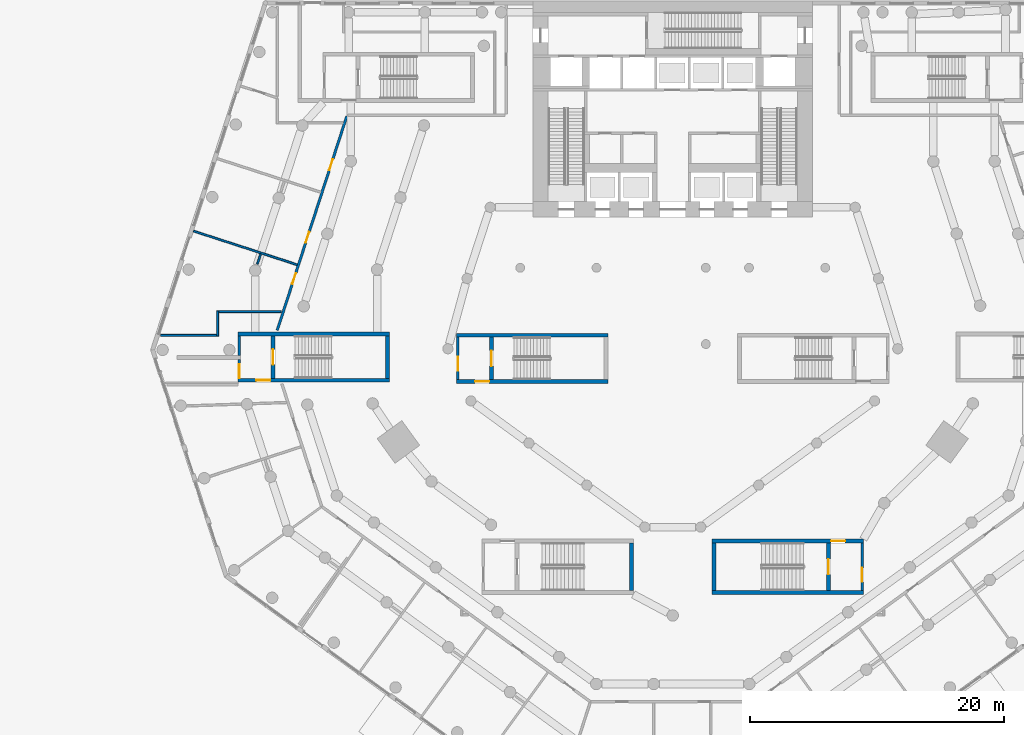
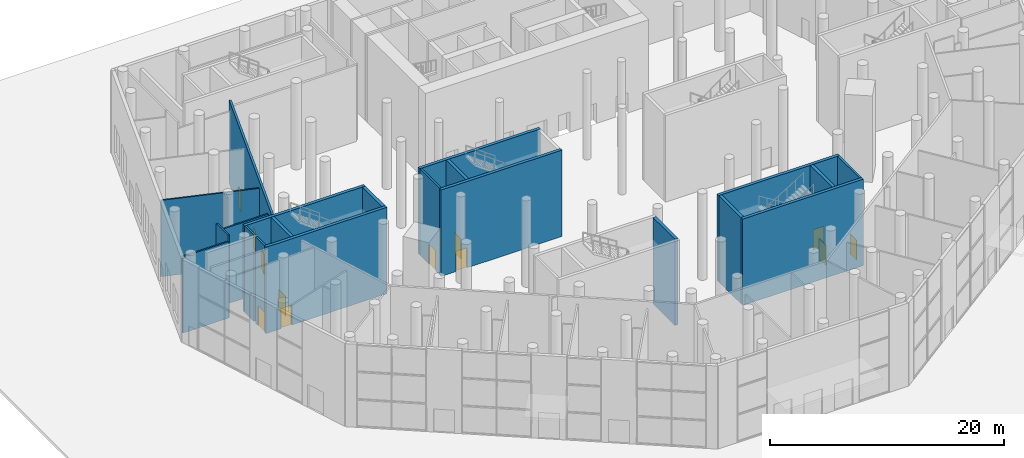
# One storey, part 11 of 25: 22 walls, 12 doors, 12 openings.
"""IFC4 building model written with IfcOpenShell, lengths in metres."""

from ifc_helpers import new_model, si_unit, direction, frame, frame_2d, origin, place, context, subcontext, project, spatial, rectangle, extrude, material, layer, layer_set, type_object, element, fill, save


model = new_model("IFC4")

# Units and contexts
model_context = context("Model", 3, precision=1e-05, world=origin(), true_north=direction((0.0, 1.0)))
body_context = subcontext(model_context, "Body", "Model", "MODEL_VIEW")
ifc_project = project(units=[si_unit("LENGTHUNIT", "METRE"), si_unit("AREAUNIT", "SQUARE_METRE"), si_unit("VOLUMEUNIT", "CUBIC_METRE"), si_unit("PLANEANGLEUNIT", "RADIAN"), si_unit("MASSUNIT", "GRAM", prefix="KILO")], contexts=[model_context])

# Site, building, storey
site_placement = place(None, origin())
site = spatial("IfcSite", under=ifc_project, at=site_placement, CompositionType="ELEMENT")
building_placement = place(site_placement, origin())
building = spatial("IfcBuilding", under=site, at=building_placement, Name="White Candle Pilgrim Tower", CompositionType="ELEMENT")
storey_placement = place(building_placement, origin())
storey = spatial("IfcBuildingStorey", under=building, at=storey_placement, Name="L00", CompositionType="ELEMENT", Elevation=0.0)

# Wall, opening, door
ifc_material_1 = material(Name="Concrete C70/85", Category="concrete")
ifc_layer_1 = layer(ifc_material_1, 0.199951171875)
ifc_layer_set_1 = layer_set([ifc_layer_1], Name="Core wall 200 mm Concrete C70/85")
wall_type_1 = type_object("IfcWallType", Name="Core wall 200 mm Concrete C70/85", PredefinedType="SHEAR", material=ifc_layer_set_1)
wall_1_placement = place(storey_placement, frame((84.89990234375, 41.60009765625, 0.0), z_axis=(0.0, 0.0, 1.0), x_axis=(0.0, 1.0, 0.0)))
wall_1 = element("IfcWall", 1, at=wall_1_placement, inside=storey, type_object=wall_type_1, Name="WL-L00-C08", PredefinedType="SHEAR", context=body_context, shape_type="SweptSolid", body=[
    extrude(rectangle(XDim=3.75, YDim=0.199951171875, at=frame_2d((1.875, 0.0))), origin(), (0.0, 0.0, 1.0), 9.0),
])
opening_1_placement = place(wall_1_placement, frame((0.699951171875, 0.0, 0.0)))
opening_1 = element("IfcOpeningElement", 2, at=opening_1_placement, cuts=wall_1, Name="Opening L00-018", PredefinedType="OPENING", context=body_context, shape_type="SweptSolid", body=[
    extrude(rectangle(XDim=1.10009765625, YDim=2.10009765625, at=frame_2d((0.550048828125, 1.050048828125))), frame((0.0, 0.10986328125, 0.0), z_axis=(0.0, -1.0, 0.0), x_axis=(1.0, 0.0, 0.0)), (0.0, 0.0, 1.0), 0.219970703125),
])
ifc_material_2 = material(Name="Steel door leaf", Category="steel")
door_type_1 = type_object("IfcDoorType", Name="Fire door 1100 x 2100 EI 60", OperationType="NOTDEFINED", PredefinedType="DOOR", material=ifc_material_2)
door_1_placement = place(opening_1_placement, frame((1.10009765625, 0.0, 0.0), z_axis=(0.0, 0.0, 1.0), x_axis=(-1.0, 0.0, 0.0)))
door_1 = element("IfcDoor", 3, at=door_1_placement, inside=storey, type_object=door_type_1, Name="Door L00-018", OperationType="SINGLE_SWING_LEFT", OverallHeight=2.10009765625, OverallWidth=1.10009765625, PredefinedType="DOOR", context=body_context, shape_type="SweptSolid", body=[
    extrude(rectangle(XDim=1.10009765625, YDim=2.10009765625, at=frame_2d((0.550048828125, 1.050048828125))), frame((0.0, 0.02490234375, 0.0), z_axis=(0.0, -1.0, 0.0), x_axis=(1.0, 0.0, 0.0)), (0.0, 0.0, 1.0), 0.050048828125),
])
fill(opening_1, door_1)

wall_2_placement = place(storey_placement, frame((53.10009765625, 58.199951171875, 0.0), z_axis=(0.0, 0.0, 1.0), x_axis=(0.0, 1.0, 0.0)))
wall_2 = element("IfcWall", 4, at=wall_2_placement, inside=storey, type_object=wall_type_1, Name="WL-L00-C19", PredefinedType="SHEAR", context=body_context, shape_type="SweptSolid", body=[
    extrude(rectangle(XDim=3.35009765625, YDim=0.199951171875, at=frame_2d((1.675048828125, 0.0))), origin(), (0.0, 0.0, 1.0), 9.0),
])
opening_2_placement = place(wall_2_placement, frame((0.699951171875, 0.0, 0.0)))
opening_2 = element("IfcOpeningElement", 5, at=opening_2_placement, cuts=wall_2, Name="Opening L00-009", PredefinedType="OPENING", context=body_context, shape_type="SweptSolid", body=[
    extrude(rectangle(XDim=1.10009765625, YDim=2.10009765625, at=frame_2d((0.550048828125, 1.050048828125))), frame((0.0, 0.10986328125, 0.0), z_axis=(0.0, -1.0, 0.0), x_axis=(1.0, 0.0, 0.0)), (0.0, 0.0, 1.0), 0.219970703125),
])
door_2_placement = place(opening_2_placement, origin())
door_2 = element("IfcDoor", 6, at=door_2_placement, inside=storey, type_object=door_type_1, Name="Door L00-009", OperationType="SINGLE_SWING_LEFT", OverallHeight=2.10009765625, OverallWidth=1.10009765625, PredefinedType="DOOR", context=body_context, shape_type="SweptSolid", body=[
    extrude(rectangle(XDim=1.10009765625, YDim=2.10009765625, at=frame_2d((0.550048828125, 1.050048828125))), frame((0.0, 0.02490234375, 0.0), z_axis=(0.0, -1.0, 0.0), x_axis=(1.0, 0.0, 0.0)), (0.0, 0.0, 1.0), 0.050048828125),
])
fill(opening_2, door_2)

# Wall
wall_3_placement = place(storey_placement, frame((35.89990234375, 60.090087890625, 0.0), z_axis=(0.0, 0.0, 1.0), x_axis=(0.0, 1.0, 0.0)))
element("IfcWall", 7, at=wall_3_placement, inside=storey, type_object=wall_type_1, Name="WL-L00-C33", PredefinedType="SHEAR", context=body_context, shape_type="SweptSolid", body=[
    extrude(rectangle(XDim=1.559814453125, YDim=0.199951171875, at=frame_2d((0.77978515625, 0.0))), origin(), (0.0, 0.0, 1.0), 9.0),
])

# Wall, openings, doors
ifc_material_3 = material(Name="Gypsum board on steel studs", Category="steel")
ifc_layer_2 = layer(ifc_material_3, 0.199951171875)
ifc_layer_set_2 = layer_set([ifc_layer_2], Name="Corridor wall 200 mm EI 45")
wall_type_2 = type_object("IfcWallType", Name="Corridor wall 200 mm EI 45", PredefinedType="PARTITIONING", material=ifc_layer_set_2)
wall_4_placement = place(storey_placement, frame((38.884033203125, 62.080810546875, 0.0), z_axis=(0.0, 0.0, 1.0), x_axis=(0.309013160516, 0.951057761983, 0.0)))
wall_4 = element("IfcWall", 8, at=wall_4_placement, inside=storey, type_object=wall_type_2, Name="WL-L00-P005", PredefinedType="PARTITIONING", context=body_context, shape_type="SweptSolid", body=[
    extrude(rectangle(XDim=17.71728515625, YDim=0.199951171875, at=frame_2d((8.858642578125, 0.0))), origin(), (0.0, 0.0, 1.0), 8.64990234375),
])
opening_3_placement = place(wall_4_placement, frame((13.24169921875, 0.0, 0.0)))
opening_3 = element("IfcOpeningElement", 9, at=opening_3_placement, cuts=wall_4, Name="Opening L00-101", PredefinedType="OPENING", context=body_context, shape_type="SweptSolid", body=[
    extrude(rectangle(XDim=0.89990234375, YDim=2.10009765625, at=frame_2d((0.449951171875, 1.050048828125))), frame((0.0, 0.10986328125, 0.0), z_axis=(0.0, -1.0, 0.0), x_axis=(1.0, 0.0, 0.0)), (0.0, 0.0, 1.0), 0.219970703125),
])
opening_4_placement = place(wall_4_placement, frame((7.24169921875, 0.0, 0.0)))
opening_4 = element("IfcOpeningElement", 10, at=opening_4_placement, cuts=wall_4, Name="Opening L00-102", PredefinedType="OPENING", context=body_context, shape_type="SweptSolid", body=[
    extrude(rectangle(XDim=0.89990234375, YDim=2.10009765625, at=frame_2d((0.449951171875, 1.050048828125))), frame((0.0, 0.10986328125, 0.0), z_axis=(0.0, -1.0, 0.0), x_axis=(1.0, 0.0, 0.0)), (0.0, 0.0, 1.0), 0.219970703125),
])
opening_5_placement = place(wall_4_placement, frame((3.82958984375, 0.0, 0.0)))
opening_5 = element("IfcOpeningElement", 11, at=opening_5_placement, cuts=wall_4, Name="Opening L00-103", PredefinedType="OPENING", context=body_context, shape_type="SweptSolid", body=[
    extrude(rectangle(XDim=0.89990234375, YDim=2.10009765625, at=frame_2d((0.449951171875, 1.050048828125))), frame((0.0, 0.10986328125, 0.0), z_axis=(0.0, -1.0, 0.0), x_axis=(1.0, 0.0, 0.0)), (0.0, 0.0, 1.0), 0.219970703125),
])
door_type_2 = type_object("IfcDoorType", Name="Fire door 900 x 2100 EI 30", OperationType="NOTDEFINED", PredefinedType="DOOR", material=ifc_material_2)
door_3_placement = place(opening_3_placement, origin())
door_3 = element("IfcDoor", 12, at=door_3_placement, inside=storey, type_object=door_type_2, Name="Door L00-101", OperationType="SINGLE_SWING_LEFT", OverallHeight=2.10009765625, OverallWidth=0.89990234375, PredefinedType="DOOR", context=body_context, shape_type="SweptSolid", body=[
    extrude(rectangle(XDim=0.89990234375, YDim=2.10009765625, at=frame_2d((0.449951171875, 1.050048828125))), frame((0.0, 0.02490234375, 0.0), z_axis=(0.0, -1.0, 0.0), x_axis=(1.0, 0.0, 0.0)), (0.0, 0.0, 1.0), 0.050048828125),
])
fill(opening_3, door_3)
door_4_placement = place(opening_4_placement, origin())
door_4 = element("IfcDoor", 13, at=door_4_placement, inside=storey, type_object=door_type_2, Name="Door L00-102", OperationType="SINGLE_SWING_RIGHT", OverallHeight=2.10009765625, OverallWidth=0.89990234375, PredefinedType="DOOR", context=body_context, shape_type="SweptSolid", body=[
    extrude(rectangle(XDim=0.89990234375, YDim=2.10009765625, at=frame_2d((0.449951171875, 1.050048828125))), frame((0.0, 0.02490234375, 0.0), z_axis=(0.0, -1.0, 0.0), x_axis=(1.0, 0.0, 0.0)), (0.0, 0.0, 1.0), 0.050048828125),
])
fill(opening_4, door_4)
door_5_placement = place(opening_5_placement, origin())
door_5 = element("IfcDoor", 14, at=door_5_placement, inside=storey, type_object=door_type_2, Name="Door L00-103", OperationType="SINGLE_SWING_LEFT", OverallHeight=2.10009765625, OverallWidth=0.89990234375, PredefinedType="DOOR", context=body_context, shape_type="SweptSolid", body=[
    extrude(rectangle(XDim=0.89990234375, YDim=2.10009765625, at=frame_2d((0.449951171875, 1.050048828125))), frame((0.0, 0.02490234375, 0.0), z_axis=(0.0, -1.0, 0.0), x_axis=(1.0, 0.0, 0.0)), (0.0, 0.0, 1.0), 0.050048828125),
])
fill(opening_5, door_5)

# Walls
ifc_layer_3 = layer(ifc_material_3, 0.14990234375)
ifc_layer_set_3 = layer_set([ifc_layer_3], Name="Partition 150 mm EI 60")
wall_type_3 = type_object("IfcWallType", Name="Partition 150 mm EI 60", PredefinedType="PARTITIONING", material=ifc_layer_set_3)
wall_5_placement = place(storey_placement, frame((32.294921875, 69.890869140625, 0.0), z_axis=(0.0, 0.0, 1.0), x_axis=(0.951057485731, -0.309014010742, 0.0)))
element("IfcWall", 15, at=wall_5_placement, inside=storey, type_object=wall_type_3, Name="WL-L00-P018", PredefinedType="PARTITIONING", context=body_context, shape_type="SweptSolid", body=[
    extrude(rectangle(XDim=8.580078125, YDim=0.14990234375, at=frame_2d((4.2900390625, 0.0))), origin(), (0.0, 0.0, 1.0), 7.949951171875),
])
wall_6_placement = place(storey_placement, frame((37.32421875, 67.299072265625, 0.0), z_axis=(0.0, 0.0, 1.0), x_axis=(0.309033234433, 0.951051239427, 0.0)))
element("IfcWall", 16, at=wall_6_placement, inside=storey, type_object=wall_type_3, Name="WL-L00-P047", PredefinedType="PARTITIONING", context=body_context, shape_type="SweptSolid", body=[
    extrude(rectangle(XDim=0.8359375, YDim=0.14990234375, at=frame_2d((0.41796875, 0.0))), origin(), (0.0, 0.0, 1.0), 7.949951171875),
])
wall_7_placement = place(storey_placement, frame((34.199951171875, 63.610107421875, 0.0), z_axis=(0.0, 0.0, 1.0), x_axis=(0.0, -1.0, 0.0)))
element("IfcWall", 17, at=wall_7_placement, inside=storey, type_object=wall_type_3, Name="WL-L00-P054", PredefinedType="PARTITIONING", context=body_context, shape_type="SweptSolid", body=[
    extrude(rectangle(XDim=1.980224609375, YDim=0.14990234375, at=frame_2d((0.990234375, 0.0))), origin(), (0.0, 0.0, 1.0), 8.64990234375),
])
wall_8_placement = place(storey_placement, frame((34.260009765625, 61.68994140625, 0.0), z_axis=(0.0, 0.0, 1.0), x_axis=(-1.0, 0.0, 0.0)))
element("IfcWall", 18, at=wall_8_placement, inside=storey, type_object=wall_type_3, Name="WL-L00-P055", PredefinedType="PARTITIONING", context=body_context, shape_type="SweptSolid", body=[
    extrude(rectangle(XDim=4.552978515625, YDim=0.14990234375, at=frame_2d((2.2763671875, 0.0))), origin(), (0.0, 0.0, 1.0), 7.949951171875),
])
wall_9_placement = place(storey_placement, frame((39.193115234375, 63.550048828125, 0.0), z_axis=(0.0, 0.0, 1.0), x_axis=(-1.0, 0.0, 0.0)))
element("IfcWall", 19, at=wall_9_placement, inside=storey, type_object=wall_type_3, Name="WL-L00-P056", PredefinedType="PARTITIONING", context=body_context, shape_type="SweptSolid", body=[
    extrude(rectangle(XDim=4.9931640625, YDim=0.14990234375, at=frame_2d((2.49658203125, 0.0))), origin(), (0.0, 0.0, 1.0), 7.949951171875),
])

# Wall, opening, door
ifc_layer_4 = layer(ifc_material_1, 0.199951171875)
ifc_layer_set_4 = layer_set([ifc_layer_4], Name="Stair shaft wall 200 mm Concrete C70/85")
wall_type_4 = type_object("IfcWallType", Name="Stair shaft wall 200 mm Concrete C70/85", PredefinedType="SHEAR", material=ifc_layer_set_4)
wall_10_placement = place(storey_placement, frame((35.89990234375, 58.300048828125, 0.0), z_axis=(0.0, 0.0, 1.0), x_axis=(0.0, 1.0, 0.0)))
wall_10 = element("IfcWall", 20, at=wall_10_placement, inside=storey, type_object=wall_type_4, Name="WL-L00-C25", PredefinedType="SHEAR", context=body_context, shape_type="SweptSolid", body=[
    extrude(rectangle(XDim=1.489990234375, YDim=0.199951171875, at=frame_2d((0.7451171875, 0.0))), origin(), (0.0, 0.0, 1.0), 9.0),
])
opening_6_placement = place(wall_10_placement, origin())
opening_6 = element("IfcOpeningElement", 21, at=opening_6_placement, cuts=wall_10, Name="Opening L00-021", PredefinedType="OPENING", context=body_context, shape_type="SweptSolid", body=[
    extrude(rectangle(XDim=1.10009765625, YDim=2.10009765625, at=frame_2d((0.550048828125, 1.050048828125))), frame((0.0, 0.10986328125, 0.0), z_axis=(0.0, -1.0, 0.0), x_axis=(1.0, 0.0, 0.0)), (0.0, 0.0, 1.0), 0.219970703125),
])
door_6_placement = place(opening_6_placement, origin())
door_6 = element("IfcDoor", 22, at=door_6_placement, inside=storey, type_object=door_type_1, Name="Door L00-021", OperationType="SINGLE_SWING_LEFT", OverallHeight=2.10009765625, OverallWidth=1.10009765625, PredefinedType="DOOR", context=body_context, shape_type="SweptSolid", body=[
    extrude(rectangle(XDim=1.10009765625, YDim=2.10009765625, at=frame_2d((0.550048828125, 1.050048828125))), frame((0.0, 0.02490234375, 0.0), z_axis=(0.0, -1.0, 0.0), x_axis=(1.0, 0.0, 0.0)), (0.0, 0.0, 1.0), 0.050048828125),
])
fill(opening_6, door_6)

# Walls
ifc_layer_5 = layer(ifc_material_1, 0.300048828125)
ifc_layer_set_5 = layer_set([ifc_layer_5], Name="Stair shaft wall 300 mm Concrete C70/85")
wall_type_5 = type_object("IfcWallType", Name="Stair shaft wall 300 mm Concrete C70/85", PredefinedType="SHEAR", material=ifc_layer_set_5)
wall_11_placement = place(storey_placement, frame((73.10009765625, 41.449951171875, 0.0), z_axis=(0.0, 0.0, 1.0), x_axis=(1.0, 0.0, 0.0)))
element("IfcWall", 23, at=wall_11_placement, inside=storey, type_object=wall_type_5, Name="WL-L00-C02", PredefinedType="SHEAR", context=body_context, shape_type="SweptSolid", body=[
    extrude(rectangle(XDim=11.89990234375, YDim=0.300048828125, at=frame_2d((5.949951171875, 0.0))), origin(), (0.0, 0.0, 1.0), 9.0),
])
for number, where, z_axis, x_axis, name in (
    (24, (66.75, 41.60009765625, 0.0), (0.0, 0.0, 1.0), (0.0, 1.0, 0.0), "WL-L00-C05"),
    (25, (73.25, 41.60009765625, 0.0), (0.0, 0.0, 1.0), (0.0, 1.0, 0.0), "WL-L00-C06"),
):
    element("IfcWall", number, at=place(storey_placement, frame(where, z_axis=z_axis, x_axis=x_axis)), inside=storey, type_object=wall_type_5, Name=name, PredefinedType="SHEAR", context=body_context, shape_type="SweptSolid", body=[
        extrude(rectangle(XDim=3.75, YDim=0.300048828125, at=frame_2d((1.875, 0.0))), origin(), (0.0, 0.0, 1.0), 9.0),
    ])

# Wall, opening, door
wall_12_placement = place(storey_placement, frame((82.25, 41.60009765625, 0.0), z_axis=(0.0, 0.0, 1.0), x_axis=(0.0, 1.0, 0.0)))
wall_12 = element("IfcWall", 26, at=wall_12_placement, inside=storey, type_object=wall_type_5, Name="WL-L00-C07", PredefinedType="SHEAR", context=body_context, shape_type="SweptSolid", body=[
    extrude(rectangle(XDim=3.75, YDim=0.300048828125, at=frame_2d((1.875, 0.0))), origin(), (0.0, 0.0, 1.0), 9.0),
])
opening_7_placement = place(wall_12_placement, frame((1.27490234375, 0.0, 0.0)))
opening_7 = element("IfcOpeningElement", 27, at=opening_7_placement, cuts=wall_12, Name="Opening L00-017", PredefinedType="OPENING", context=body_context, shape_type="SweptSolid", body=[
    extrude(rectangle(XDim=1.199951171875, YDim=2.10009765625, at=frame_2d((0.60009765625, 1.050048828125))), frame((0.0, 0.159912109375, 0.0), z_axis=(0.0, -1.0, 0.0), x_axis=(1.0, 0.0, 0.0)), (0.0, 0.0, 1.0), 0.320068359375),
])
door_type_3 = type_object("IfcDoorType", Name="Fire door 1200 x 2100 EI 60", OperationType="NOTDEFINED", PredefinedType="DOOR", material=ifc_material_2)
door_7_placement = place(opening_7_placement, origin())
door_7 = element("IfcDoor", 28, at=door_7_placement, inside=storey, type_object=door_type_3, Name="Door L00-017", OperationType="SINGLE_SWING_LEFT", OverallHeight=2.10009765625, OverallWidth=1.199951171875, PredefinedType="DOOR", context=body_context, shape_type="SweptSolid", body=[
    extrude(rectangle(XDim=1.199951171875, YDim=2.10009765625, at=frame_2d((0.60009765625, 1.050048828125))), frame((0.0, 0.02490234375, 0.0), z_axis=(0.0, -1.0, 0.0), x_axis=(1.0, 0.0, 0.0)), (0.0, 0.0, 1.0), 0.050048828125),
])
fill(opening_7, door_7)

wall_13_placement = place(storey_placement, frame((73.10009765625, 45.5, 0.0), z_axis=(0.0, 0.0, 1.0), x_axis=(1.0, 0.0, 0.0)))
wall_13 = element("IfcWall", 29, at=wall_13_placement, inside=storey, type_object=wall_type_5, Name="WL-L00-C10", PredefinedType="SHEAR", context=body_context, shape_type="SweptSolid", body=[
    extrude(rectangle(XDim=11.89990234375, YDim=0.300048828125, at=frame_2d((5.949951171875, 0.0))), origin(), (0.0, 0.0, 1.0), 9.0),
])
opening_8_placement = place(wall_13_placement, frame((9.35009765625, 0.0, 0.0)))
opening_8 = element("IfcOpeningElement", 30, at=opening_8_placement, cuts=wall_13, Name="Opening L00-016", PredefinedType="OPENING", context=body_context, shape_type="SweptSolid", body=[
    extrude(rectangle(XDim=1.10009765625, YDim=2.10009765625, at=frame_2d((0.550048828125, 1.050048828125))), frame((0.0, 0.159912109375, 0.0), z_axis=(0.0, -1.0, 0.0), x_axis=(1.0, 0.0, 0.0)), (0.0, 0.0, 1.0), 0.320068359375),
])
door_8_placement = place(opening_8_placement, frame((1.10009765625, 0.0, 0.0), z_axis=(0.0, 0.0, 1.0), x_axis=(-1.0, 0.0, 0.0)))
door_8 = element("IfcDoor", 31, at=door_8_placement, inside=storey, type_object=door_type_1, Name="Door L00-016", OperationType="SINGLE_SWING_LEFT", OverallHeight=2.10009765625, OverallWidth=1.10009765625, PredefinedType="DOOR", context=body_context, shape_type="SweptSolid", body=[
    extrude(rectangle(XDim=1.10009765625, YDim=2.10009765625, at=frame_2d((0.550048828125, 1.050048828125))), frame((0.0, 0.02490234375, 0.0), z_axis=(0.0, -1.0, 0.0), x_axis=(1.0, 0.0, 0.0)), (0.0, 0.0, 1.0), 0.050048828125),
])
fill(opening_8, door_8)

wall_14_placement = place(storey_placement, frame((53.0, 58.050048828125, 0.0), z_axis=(0.0, 0.0, 1.0), x_axis=(1.0, 0.0, 0.0)))
wall_14 = element("IfcWall", 32, at=wall_14_placement, inside=storey, type_object=wall_type_5, Name="WL-L00-C14", PredefinedType="SHEAR", context=body_context, shape_type="SweptSolid", body=[
    extrude(rectangle(XDim=11.89990234375, YDim=0.300048828125, at=frame_2d((5.949951171875, 0.0))), origin(), (0.0, 0.0, 1.0), 9.0),
])
opening_9_placement = place(wall_14_placement, frame((1.449951171875, 0.0, 0.0)))
opening_9 = element("IfcOpeningElement", 33, at=opening_9_placement, cuts=wall_14, Name="Opening L00-007", PredefinedType="OPENING", context=body_context, shape_type="SweptSolid", body=[
    extrude(rectangle(XDim=1.10009765625, YDim=2.10009765625, at=frame_2d((0.550048828125, 1.050048828125))), frame((0.0, 0.159912109375, 0.0), z_axis=(0.0, -1.0, 0.0), x_axis=(1.0, 0.0, 0.0)), (0.0, 0.0, 1.0), 0.320068359375),
])
door_9_placement = place(opening_9_placement, origin())
door_9 = element("IfcDoor", 34, at=door_9_placement, inside=storey, type_object=door_type_1, Name="Door L00-007", OperationType="SINGLE_SWING_LEFT", OverallHeight=2.10009765625, OverallWidth=1.10009765625, PredefinedType="DOOR", context=body_context, shape_type="SweptSolid", body=[
    extrude(rectangle(XDim=1.10009765625, YDim=2.10009765625, at=frame_2d((0.550048828125, 1.050048828125))), frame((0.0, 0.02490234375, 0.0), z_axis=(0.0, -1.0, 0.0), x_axis=(1.0, 0.0, 0.0)), (0.0, 0.0, 1.0), 0.050048828125),
])
fill(opening_9, door_9)

wall_15_placement = place(storey_placement, frame((35.800048828125, 58.14990234375, 0.0), z_axis=(0.0, 0.0, 1.0), x_axis=(1.0, 0.0, 0.0)))
wall_15 = element("IfcWall", 35, at=wall_15_placement, inside=storey, type_object=wall_type_5, Name="WL-L00-C17", PredefinedType="SHEAR", context=body_context, shape_type="SweptSolid", body=[
    extrude(rectangle(XDim=11.89990234375, YDim=0.300048828125, at=frame_2d((5.949951171875, 0.0))), origin(), (0.0, 0.0, 1.0), 9.0),
])
opening_10_placement = place(wall_15_placement, frame((1.449951171875, 0.0, 0.0)))
opening_10 = element("IfcOpeningElement", 36, at=opening_10_placement, cuts=wall_15, Name="Opening L00-019", PredefinedType="OPENING", context=body_context, shape_type="SweptSolid", body=[
    extrude(rectangle(XDim=1.10009765625, YDim=2.10009765625, at=frame_2d((0.550048828125, 1.050048828125))), frame((0.0, 0.159912109375, 0.0), z_axis=(0.0, -1.0, 0.0), x_axis=(1.0, 0.0, 0.0)), (0.0, 0.0, 1.0), 0.320068359375),
])
door_10_placement = place(opening_10_placement, origin())
door_10 = element("IfcDoor", 37, at=door_10_placement, inside=storey, type_object=door_type_1, Name="Door L00-019", OperationType="SINGLE_SWING_LEFT", OverallHeight=2.10009765625, OverallWidth=1.10009765625, PredefinedType="DOOR", context=body_context, shape_type="SweptSolid", body=[
    extrude(rectangle(XDim=1.10009765625, YDim=2.10009765625, at=frame_2d((0.550048828125, 1.050048828125))), frame((0.0, 0.02490234375, 0.0), z_axis=(0.0, -1.0, 0.0), x_axis=(1.0, 0.0, 0.0)), (0.0, 0.0, 1.0), 0.050048828125),
])
fill(opening_10, door_10)

wall_16_placement = place(storey_placement, frame((55.75, 58.199951171875, 0.0), z_axis=(0.0, 0.0, 1.0), x_axis=(0.0, 1.0, 0.0)))
wall_16 = element("IfcWall", 38, at=wall_16_placement, inside=storey, type_object=wall_type_5, Name="WL-L00-C20", PredefinedType="SHEAR", context=body_context, shape_type="SweptSolid", body=[
    extrude(rectangle(XDim=3.35009765625, YDim=0.300048828125, at=frame_2d((1.675048828125, 0.0))), origin(), (0.0, 0.0, 1.0), 9.0),
])
opening_11_placement = place(wall_16_placement, frame((1.074951171875, 0.0, 0.0)))
opening_11 = element("IfcOpeningElement", 39, at=opening_11_placement, cuts=wall_16, Name="Opening L00-008", PredefinedType="OPENING", context=body_context, shape_type="SweptSolid", body=[
    extrude(rectangle(XDim=1.199951171875, YDim=2.10009765625, at=frame_2d((0.60009765625, 1.050048828125))), frame((0.0, 0.159912109375, 0.0), z_axis=(0.0, -1.0, 0.0), x_axis=(1.0, 0.0, 0.0)), (0.0, 0.0, 1.0), 0.320068359375),
])
door_11_placement = place(opening_11_placement, frame((1.199951171875, 0.0, 0.0), z_axis=(0.0, 0.0, 1.0), x_axis=(-1.0, 0.0, 0.0)))
door_11 = element("IfcDoor", 40, at=door_11_placement, inside=storey, type_object=door_type_3, Name="Door L00-008", OperationType="SINGLE_SWING_LEFT", OverallHeight=2.10009765625, OverallWidth=1.199951171875, PredefinedType="DOOR", context=body_context, shape_type="SweptSolid", body=[
    extrude(rectangle(XDim=1.199951171875, YDim=2.10009765625, at=frame_2d((0.60009765625, 1.050048828125))), frame((0.0, 0.02490234375, 0.0), z_axis=(0.0, -1.0, 0.0), x_axis=(1.0, 0.0, 0.0)), (0.0, 0.0, 1.0), 0.050048828125),
])
fill(opening_11, door_11)

wall_17_placement = place(storey_placement, frame((38.550048828125, 58.300048828125, 0.0), z_axis=(0.0, 0.0, 1.0), x_axis=(0.0, 1.0, 0.0)))
wall_17 = element("IfcWall", 41, at=wall_17_placement, inside=storey, type_object=wall_type_5, Name="WL-L00-C26", PredefinedType="SHEAR", context=body_context, shape_type="SweptSolid", body=[
    extrude(rectangle(XDim=3.349853515625, YDim=0.300048828125, at=frame_2d((1.6748046875, 0.0))), origin(), (0.0, 0.0, 1.0), 9.0),
])
opening_12_placement = place(wall_17_placement, frame((1.074951171875, 0.0, 0.0)))
opening_12 = element("IfcOpeningElement", 42, at=opening_12_placement, cuts=wall_17, Name="Opening L00-020", PredefinedType="OPENING", context=body_context, shape_type="SweptSolid", body=[
    extrude(rectangle(XDim=1.199951171875, YDim=2.10009765625, at=frame_2d((0.60009765625, 1.050048828125))), frame((0.0, 0.159912109375, 0.0), z_axis=(0.0, -1.0, 0.0), x_axis=(1.0, 0.0, 0.0)), (0.0, 0.0, 1.0), 0.320068359375),
])
door_12_placement = place(opening_12_placement, frame((1.199951171875, 0.0, 0.0), z_axis=(0.0, 0.0, 1.0), x_axis=(-1.0, 0.0, 0.0)))
door_12 = element("IfcDoor", 43, at=door_12_placement, inside=storey, type_object=door_type_3, Name="Door L00-020", OperationType="SINGLE_SWING_LEFT", OverallHeight=2.10009765625, OverallWidth=1.199951171875, PredefinedType="DOOR", context=body_context, shape_type="SweptSolid", body=[
    extrude(rectangle(XDim=1.199951171875, YDim=2.10009765625, at=frame_2d((0.60009765625, 1.050048828125))), frame((0.0, 0.02490234375, 0.0), z_axis=(0.0, -1.0, 0.0), x_axis=(1.0, 0.0, 0.0)), (0.0, 0.0, 1.0), 0.050048828125),
])
fill(opening_12, door_12)

# Walls
wall_18_placement = place(storey_placement, frame((47.550048828125, 58.300048828125, 0.0), z_axis=(0.0, 0.0, 1.0), x_axis=(0.0, 1.0, 0.0)))
element("IfcWall", 44, at=wall_18_placement, inside=storey, type_object=wall_type_5, Name="WL-L00-C27", PredefinedType="SHEAR", context=body_context, shape_type="SweptSolid", body=[
    extrude(rectangle(XDim=3.349853515625, YDim=0.300048828125, at=frame_2d((1.6748046875, 0.0))), origin(), (0.0, 0.0, 1.0), 9.0),
])
for number, where, z_axis, x_axis, name in (
    (45, (53.0, 61.699951171875, 0.0), (0.0, 0.0, 1.0), (1.0, 0.0, 0.0), "WL-L00-C35"),
    (46, (35.800048828125, 61.800048828125, 0.0), (0.0, 0.0, 1.0), (1.0, 0.0, 0.0), "WL-L00-C37"),
):
    element("IfcWall", number, at=place(storey_placement, frame(where, z_axis=z_axis, x_axis=x_axis)), inside=storey, type_object=wall_type_5, Name=name, PredefinedType="SHEAR", context=body_context, shape_type="SweptSolid", body=[
        extrude(rectangle(XDim=11.89990234375, YDim=0.300048828125, at=frame_2d((5.949951171875, 0.0))), origin(), (0.0, 0.0, 1.0), 9.0),
    ])

save(model, "model.ifc")
